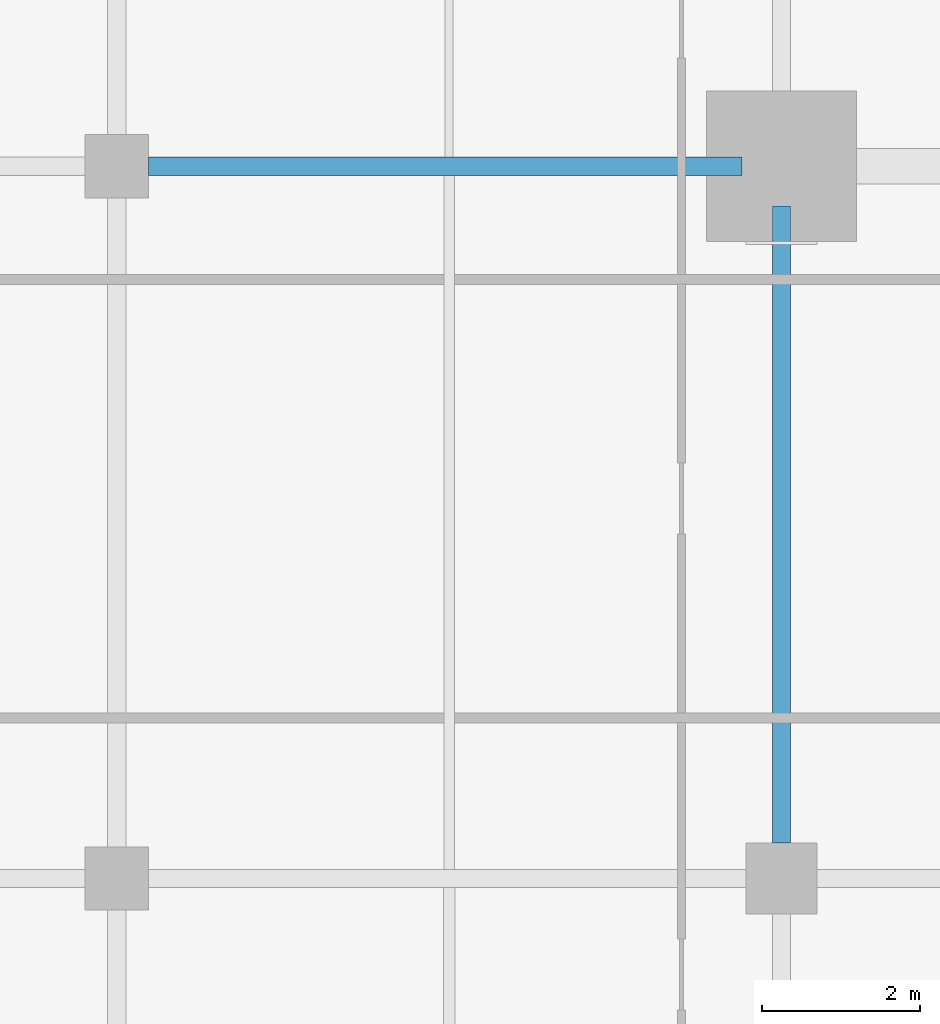
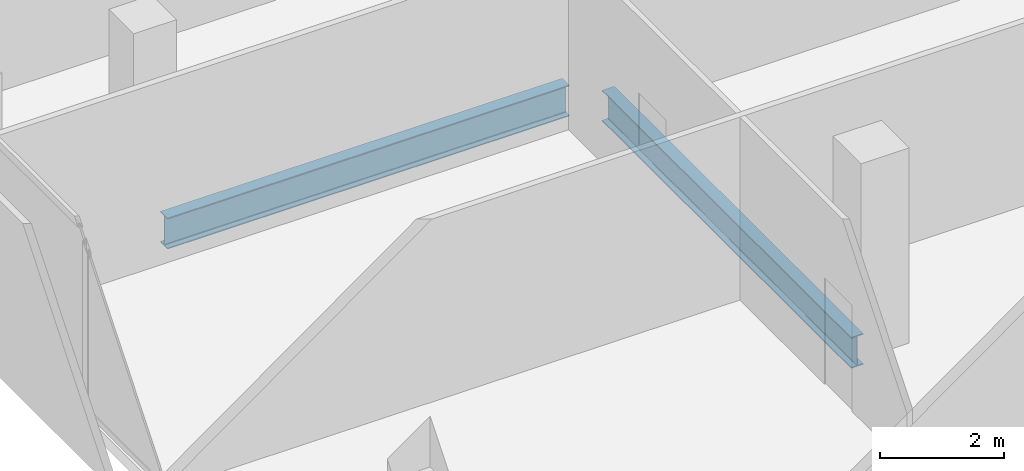
# One storey, part 9 of 33: 2 beams.
"""IFC4 building model written with IfcOpenShell, lengths in metres."""

from ifc_helpers import new_model, si_unit, direction, frame, origin, origin_2d, place, context, subcontext, project, spatial, i_section, extrude, material, material_profile, profile_set, type_object, element, save


model = new_model("IFC4")

# Units and contexts
model_context = context("Model", 3, precision=1e-05, world=origin(), true_north=direction((0.0, 1.0)))
body_context = subcontext(model_context, "Body", "Model", "MODEL_VIEW")
ifc_project = project(units=[si_unit("LENGTHUNIT", "METRE"), si_unit("AREAUNIT", "SQUARE_METRE"), si_unit("VOLUMEUNIT", "CUBIC_METRE"), si_unit("PLANEANGLEUNIT", "RADIAN"), si_unit("MASSUNIT", "GRAM", prefix="KILO")], contexts=[model_context])

# Site, building, storey
site_placement = place(None, origin())
site = spatial("IfcSite", under=ifc_project, at=site_placement, CompositionType="ELEMENT")
building_placement = place(site_placement, origin())
building = spatial("IfcBuilding", under=site, at=building_placement, Name="Maruvema Waterfront Hotel and Observation Tower", CompositionType="ELEMENT")
storey_placement = place(building_placement, frame((0.0, 0.0, 150.5)))
storey = spatial("IfcBuildingStorey", under=building, at=storey_placement, Name="L36", CompositionType="ELEMENT", Elevation=150.5)

# Beams
ifc_material = material(Name="Steel ASTM A572 Grade 50", Category="steel")
ifc_material_profile = material_profile(ifc_material, i_section(OverallWidth=0.22900390625, OverallDepth=0.612060546875, WebThickness=0.011962890625, FlangeThickness=0.01953125, FilletRadius=0.01806640625, at=origin_2d()), Name="W610x125.0")
ifc_profile_set = profile_set([ifc_material_profile], Name="Steel ASTM A572 Grade 50")
beam_type = type_object("IfcBeamType", Name="Primary Floor Girder W610x125.0", PredefinedType="BEAM", material=ifc_profile_set)
beam_1_placement = place(storey_placement, frame((17.199951171875, 27.0, -0.5458984375), z_axis=(1.0, 0.0, 0.0), x_axis=(0.0, 1.0, 0.0)))
element("IfcBeam", 1, at=beam_1_placement, inside=storey, type_object=beam_type, Name="L36 Floor Girder EW-19", PredefinedType="BEAM", context=body_context, shape_type="SweptSolid", body=[
    extrude(i_section(OverallWidth=0.22900390625, OverallDepth=0.612060546875, WebThickness=0.011962890625, FlangeThickness=0.01953125, FilletRadius=0.01806640625, at=origin_2d()), origin(), (0.0, 0.0, 1.0), 7.5),
])
beam_2_placement = place(storey_placement, frame((25.199951171875, 18.449951171875, -0.5458984375), z_axis=(0.0, 1.0, 0.0), x_axis=(-1.0, 0.0, 0.0)))
element("IfcBeam", 2, at=beam_2_placement, inside=storey, type_object=beam_type, Name="L36 Floor Girder NS-11", PredefinedType="BEAM", context=body_context, shape_type="SweptSolid", body=[
    extrude(i_section(OverallWidth=0.22900390625, OverallDepth=0.612060546875, WebThickness=0.011962890625, FlangeThickness=0.01953125, FilletRadius=0.01806640625, at=origin_2d()), origin(), (0.0, 0.0, 1.0), 8.050048828125),
])

save(model, "model.ifc")
